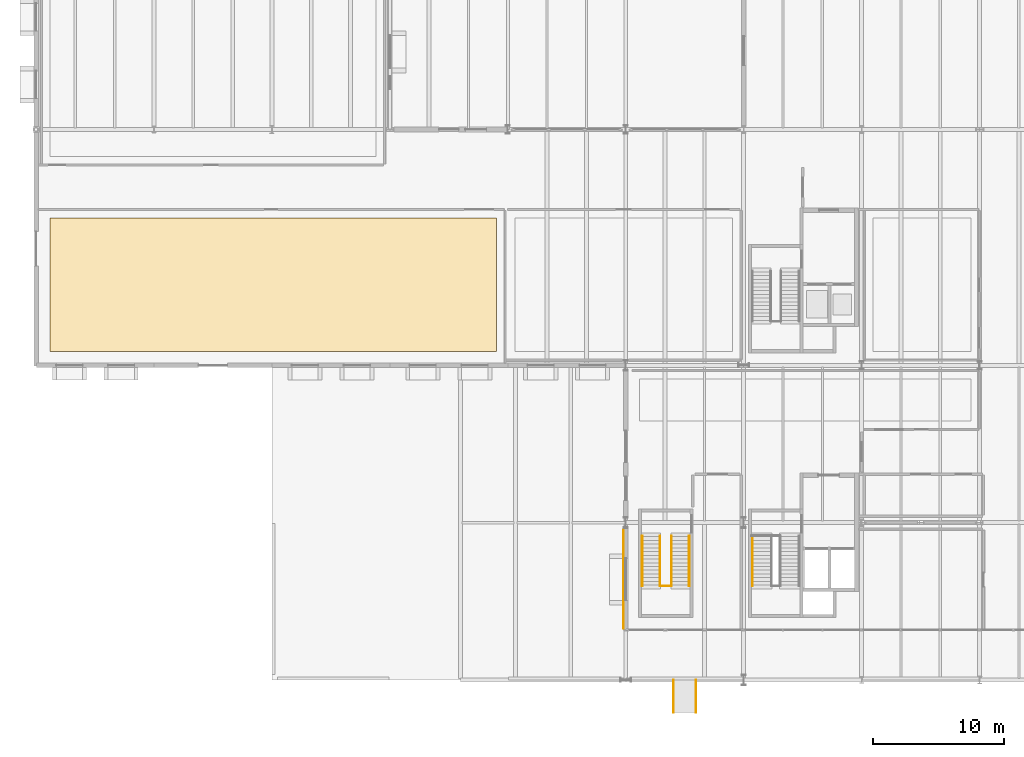
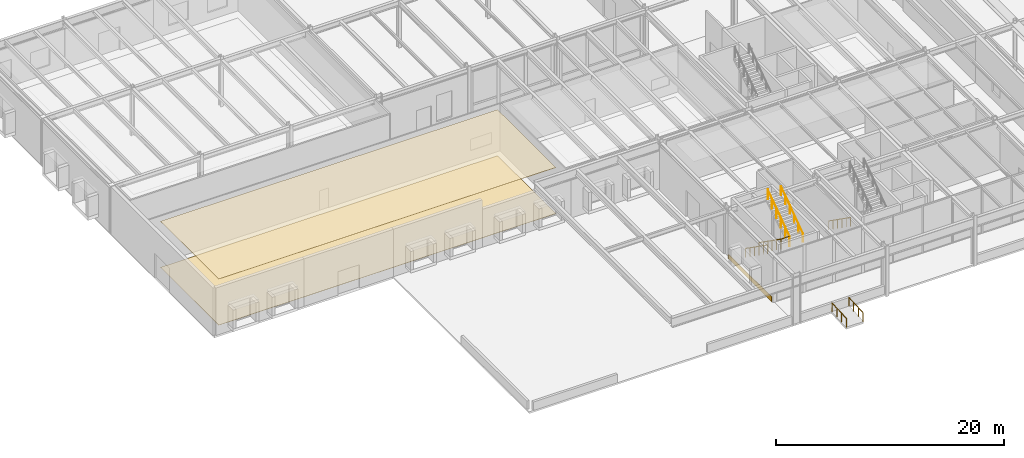
# One storey, part 132 of 143: 8 railings, 3 coverings.
"""IFC4 building model written with IfcOpenShell, lengths in metres."""

from ifc_helpers import new_model, si_unit, direction, frame, origin, origin_2d, place, context, subcontext, project, spatial, polyline, rectangle, circle, outline, extrude, material, layer, layer_set, type_object, element, save


model = new_model("IFC4")

# Units and contexts
model_context = context("Model", 3, precision=1e-05, world=origin(), true_north=direction((0.0, 1.0)))
body_context = subcontext(model_context, "Body", "Model", "MODEL_VIEW")
ifc_project = project(units=[si_unit("LENGTHUNIT", "METRE"), si_unit("AREAUNIT", "SQUARE_METRE"), si_unit("VOLUMEUNIT", "CUBIC_METRE"), si_unit("PLANEANGLEUNIT", "RADIAN"), si_unit("MASSUNIT", "GRAM", prefix="KILO")], contexts=[model_context])

# Site, building, storey
site_placement = place(None, origin())
site = spatial("IfcSite", under=ifc_project, at=site_placement, CompositionType="ELEMENT")
building_placement = place(site_placement, origin())
building = spatial("IfcBuilding", under=site, at=building_placement, Name="Montelvaro Courts of Justice", CompositionType="ELEMENT")
storey_placement = place(building_placement, origin())
storey = spatial("IfcBuildingStorey", under=building, at=storey_placement, Name="L00", CompositionType="ELEMENT", Elevation=0.0)

# Coverings
ifc_material_1 = material(Name="Perforated acoustic gypsum ceiling")
ifc_layer_1 = layer(ifc_material_1, 0.0400390625)
ifc_layer_set_1 = layer_set([ifc_layer_1], Name="Perforated acoustic gypsum ceiling")
covering_type_1 = type_object("IfcCoveringType", Name="AcousticCeiling_Court", PredefinedType="CEILING", material=ifc_layer_set_1)
covering_1_placement = place(storey_placement, frame((0.0, 0.0, 4.919921875)))
element("IfcCovering", 1, at=covering_1_placement, inside=storey, type_object=covering_type_1, Name="Acoustic Ceiling Panel AC-01 (L00-28)", PredefinedType="CEILING", context=body_context, shape_type="SweptSolid", body=[
    extrude(outline(polyline([(1.050048828125, 35.25), (35.14990234375, 35.25), (35.14990234375, 25.050048828125), (1.050048828125, 25.050048828125), (1.050048828125, 35.25)])), origin(), (0.0, 0.0, 1.0), 0.0400390625),
])
ifc_material_2 = material(Name="White mineral precast concrete C45/55", Category="concrete")
ifc_layer_2 = layer(ifc_material_2, 0.0400390625)
ifc_layer_set_2 = layer_set([ifc_layer_2], Name="White mineral precast concrete C45/55")
covering_type_2 = type_object("IfcCoveringType", Name="BarCladding_GFRC", PredefinedType="CLADDING", material=ifc_layer_set_2)
covering_2_placement = place(storey_placement, frame((44.81298828125, 7.677490234375, 0.030029296875), z_axis=(0.0, 0.0, 1.0), x_axis=(0.0, -1.0, 0.0)))
element("IfcCovering", 2, at=covering_2_placement, inside=storey, type_object=covering_type_2, Name="Horizontal White Bar Spandrel Cladding CL-01-002", PredefinedType="CLADDING", context=body_context, shape_type="SweptSolid", body=[
    extrude(rectangle(XDim=7.534912109375, YDim=0.0400390625, at=origin_2d()), origin(), (0.0, 0.0, 1.0), 0.5),
])

# Railings
ifc_material_3 = material(Name="Steel S355", Category="steel")
railing_type_1 = type_object("IfcRailingType", Name="InteriorGuard_1100", PredefinedType="BALUSTRADE", material=ifc_material_3)
railing_1_placement = place(storey_placement, frame((47.610107421875, 11.0, 0.0)))
element("IfcRailing", 3, at=railing_1_placement, inside=storey, type_object=railing_type_1, Name="Stair Well Guard GR-02 ST-E1-L00-F1G", PredefinedType="BALUSTRADE", context=body_context, shape_type="SweptSolid", body=[
    extrude(circle(Radius=0.02392578125, at=origin_2d()), frame((0.0, 0.0, 1.076171875), z_axis=(0.0, -0.81767845864, 0.575675202069), x_axis=(1.0, 0.0, 0.0)), (0.0, 0.0, 1.0), 4.68994140625),
    extrude(circle(Radius=0.02099609375, at=origin_2d()), origin(), (0.0, 0.0, 1.0), 1.052001953125),
    extrude(circle(Radius=0.02099609375, at=origin_2d()), frame((0.0, -0.76708984375, 0.5400390625)), (0.0, 0.0, 1.0), 1.052001953125),
    extrude(circle(Radius=0.02099609375, at=origin_2d()), frame((0.0, -1.533935546875, 1.080078125)), (0.0, 0.0, 1.0), 1.052001953125),
    extrude(circle(Radius=0.02099609375, at=origin_2d()), frame((0.0, -2.301025390625, 1.619873046875)), (0.0, 0.0, 1.0), 1.052001953125),
    extrude(circle(Radius=0.02099609375, at=origin_2d()), frame((0.0, -3.06787109375, 2.159912109375)), (0.0, 0.0, 1.0), 1.052001953125),
    extrude(circle(Radius=0.02099609375, at=origin_2d()), frame((0.0, -3.8349609375, 2.699951171875)), (0.0, 0.0, 1.0), 1.052001953125),
])
railing_2_placement = place(storey_placement, frame((48.489990234375, 7.1650390625, 2.699951171875)))
element("IfcRailing", 4, at=railing_2_placement, inside=storey, type_object=railing_type_1, Name="Stair Well Guard GR-02 ST-E1-L00-F2G", PredefinedType="BALUSTRADE", context=body_context, shape_type="SweptSolid", body=[
    extrude(circle(Radius=0.02392578125, at=origin_2d()), frame((0.0, 0.0, 1.076171875), z_axis=(0.0, 0.81767845864, 0.575675202069), x_axis=(-1.0, 0.0, 0.0)), (0.0, 0.0, 1.0), 4.68994140625),
    extrude(circle(Radius=0.02099609375, at=origin_2d()), origin(), (0.0, 0.0, 1.0), 1.052001953125),
    extrude(circle(Radius=0.02099609375, at=origin_2d()), frame((0.0, 0.76708984375, 0.5400390625)), (0.0, 0.0, 1.0), 1.052001953125),
    extrude(circle(Radius=0.02099609375, at=origin_2d()), frame((0.0, 1.533935546875, 1.080078125)), (0.0, 0.0, 1.0), 1.052001953125),
    extrude(circle(Radius=0.02099609375, at=origin_2d()), frame((0.0, 2.301025390625, 1.619873046875)), (0.0, 0.0, 1.0), 1.052001953125),
    extrude(circle(Radius=0.02099609375, at=origin_2d()), frame((0.0, 3.06787109375, 2.159912109375)), (0.0, 0.0, 1.0), 1.052001953125),
    extrude(circle(Radius=0.02099609375, at=origin_2d()), frame((0.0, 3.8349609375, 2.699951171875)), (0.0, 0.0, 1.0), 1.052001953125),
])
railing_3_placement = place(storey_placement, frame((47.610107421875, 7.1650390625, 2.699951171875)))
element("IfcRailing", 5, at=railing_3_placement, inside=storey, type_object=railing_type_1, Name="Stair Well Guard GR-02 ST-E1-L00-MLG", PredefinedType="BALUSTRADE", context=body_context, shape_type="SweptSolid", body=[
    extrude(circle(Radius=0.02392578125, at=origin_2d()), frame((0.0, 0.0, 1.076171875), z_axis=(1.0, 0.0, 0.0), x_axis=(0.0, 1.0, 0.0)), (0.0, 0.0, 1.0), 0.8798828125),
    extrude(circle(Radius=0.02099609375, at=origin_2d()), origin(), (0.0, 0.0, 1.0), 1.052001953125),
    extrude(circle(Radius=0.02099609375, at=origin_2d()), frame((0.8798828125, 0.0, 0.0)), (0.0, 0.0, 1.0), 1.052001953125),
])

# Covering
ifc_material_4 = material(Name="Alicante limestone judicial flooring", Category="masonry")
ifc_layer_3 = layer(ifc_material_4, 0.030029296875)
ifc_layer_set_3 = layer_set([ifc_layer_3], Name="Alicante limestone judicial flooring")
covering_type_3 = type_object("IfcCoveringType", Name="JudicialStoneFlooring", PredefinedType="FLOORING", material=ifc_layer_set_3)
covering_3_placement = place(storey_placement, origin())
element("IfcCovering", 6, at=covering_3_placement, inside=storey, type_object=covering_type_3, Name="Judicial Stone Flooring FLR-01 (L00-28)", PredefinedType="FLOORING", context=body_context, shape_type="SweptSolid", body=[
    extrude(outline(polyline([(1.050048828125, 35.25), (35.14990234375, 35.25), (35.14990234375, 25.050048828125), (1.050048828125, 25.050048828125), (1.050048828125, 35.25)])), origin(), (0.0, 0.0, 1.0), 0.030029296875),
])

# Railings
ifc_material_5 = material(Name="Austenitic stainless steel EN 1.4401", Category="steel")
railing_type_2 = type_object("IfcRailingType", Name="StairHandrail_950", PredefinedType="HANDRAIL", material=ifc_material_5)
for number, where, name in (
    (7, (54.659912109375, 11.0, 0.0), "Stair Pitch Handrail HR-01 ST-K1-L00-F1H"),
    (8, (46.260009765625, 11.0, 0.0), "Stair Pitch Handrail HR-01 ST-E1-L00-F1H"),
):
    element("IfcRailing", number, at=place(storey_placement, frame(where)), inside=storey, type_object=railing_type_2, Name=name, PredefinedType="HANDRAIL", context=body_context, shape_type="SweptSolid", body=[
        extrude(circle(Radius=0.02392578125, at=origin_2d()), frame((0.0, 0.0, 0.92578125), z_axis=(0.0, -0.81767845864, 0.575675202069), x_axis=(1.0, 0.0, 0.0)), (0.0, 0.0, 1.0), 4.68994140625),
        extrude(circle(Radius=0.02099609375, at=origin_2d()), origin(), (0.0, 0.0, 1.0), 0.90185546875),
        extrude(circle(Radius=0.02099609375, at=origin_2d()), frame((0.0, -0.76708984375, 0.5400390625)), (0.0, 0.0, 1.0), 0.90185546875),
        extrude(circle(Radius=0.02099609375, at=origin_2d()), frame((0.0, -1.533935546875, 1.080078125)), (0.0, 0.0, 1.0), 0.90185546875),
        extrude(circle(Radius=0.02099609375, at=origin_2d()), frame((0.0, -2.301025390625, 1.619873046875)), (0.0, 0.0, 1.0), 0.90185546875),
        extrude(circle(Radius=0.02099609375, at=origin_2d()), frame((0.0, -3.06787109375, 2.159912109375)), (0.0, 0.0, 1.0), 0.90185546875),
        extrude(circle(Radius=0.02099609375, at=origin_2d()), frame((0.0, -3.8349609375, 2.699951171875)), (0.0, 0.0, 1.0), 0.90185546875),
    ])
railing_4_placement = place(storey_placement, frame((49.840087890625, 7.1650390625, 2.699951171875)))
element("IfcRailing", 9, at=railing_4_placement, inside=storey, type_object=railing_type_2, Name="Stair Pitch Handrail HR-01 ST-E1-L00-F2H", PredefinedType="HANDRAIL", context=body_context, shape_type="SweptSolid", body=[
    extrude(circle(Radius=0.02392578125, at=origin_2d()), frame((0.0, 0.0, 0.92578125), z_axis=(0.0, 0.81767845864, 0.575675202069), x_axis=(-1.0, 0.0, 0.0)), (0.0, 0.0, 1.0), 4.68994140625),
    extrude(circle(Radius=0.02099609375, at=origin_2d()), origin(), (0.0, 0.0, 1.0), 0.90185546875),
    extrude(circle(Radius=0.02099609375, at=origin_2d()), frame((0.0, 0.76708984375, 0.5400390625)), (0.0, 0.0, 1.0), 0.90185546875),
    extrude(circle(Radius=0.02099609375, at=origin_2d()), frame((0.0, 1.533935546875, 1.080078125)), (0.0, 0.0, 1.0), 0.90185546875),
    extrude(circle(Radius=0.02099609375, at=origin_2d()), frame((0.0, 2.301025390625, 1.619873046875)), (0.0, 0.0, 1.0), 0.90185546875),
    extrude(circle(Radius=0.02099609375, at=origin_2d()), frame((0.0, 3.06787109375, 2.159912109375)), (0.0, 0.0, 1.0), 0.90185546875),
    extrude(circle(Radius=0.02099609375, at=origin_2d()), frame((0.0, 3.8349609375, 2.699951171875)), (0.0, 0.0, 1.0), 0.90185546875),
])
for number, where, name in (
    (10, (50.35009765625, -2.5, -0.14990234375), "Accessible Ramp Handrail AR-01-L"),
    (11, (48.64990234375, -2.5, -0.14990234375), "Accessible Ramp Handrail AR-01-R"),
):
    element("IfcRailing", number, at=place(storey_placement, frame(where)), inside=storey, type_object=railing_type_2, Name=name, PredefinedType="HANDRAIL", context=body_context, shape_type="SweptSolid", body=[
        extrude(circle(Radius=0.02392578125, at=origin_2d()), frame((0.0, 0.0, 0.92578125), z_axis=(0.0, 0.998207175866, 0.059853438084), x_axis=(-1.0, 0.0, 0.0)), (0.0, 0.0, 1.0), 2.50439453125),
        extrude(circle(Radius=0.02099609375, at=origin_2d()), origin(), (0.0, 0.0, 1.0), 0.90185546875),
        extrude(circle(Radius=0.02099609375, at=origin_2d()), frame((0.0, 0.833251953125, 0.050048828125)), (0.0, 0.0, 1.0), 0.90185546875),
        extrude(circle(Radius=0.02099609375, at=origin_2d()), frame((0.0, 1.666748046875, 0.099853515625)), (0.0, 0.0, 1.0), 0.90185546875),
        extrude(circle(Radius=0.02099609375, at=origin_2d()), frame((0.0, 2.5, 0.14990234375)), (0.0, 0.0, 1.0), 0.90185546875),
    ])

save(model, "model.ifc")
